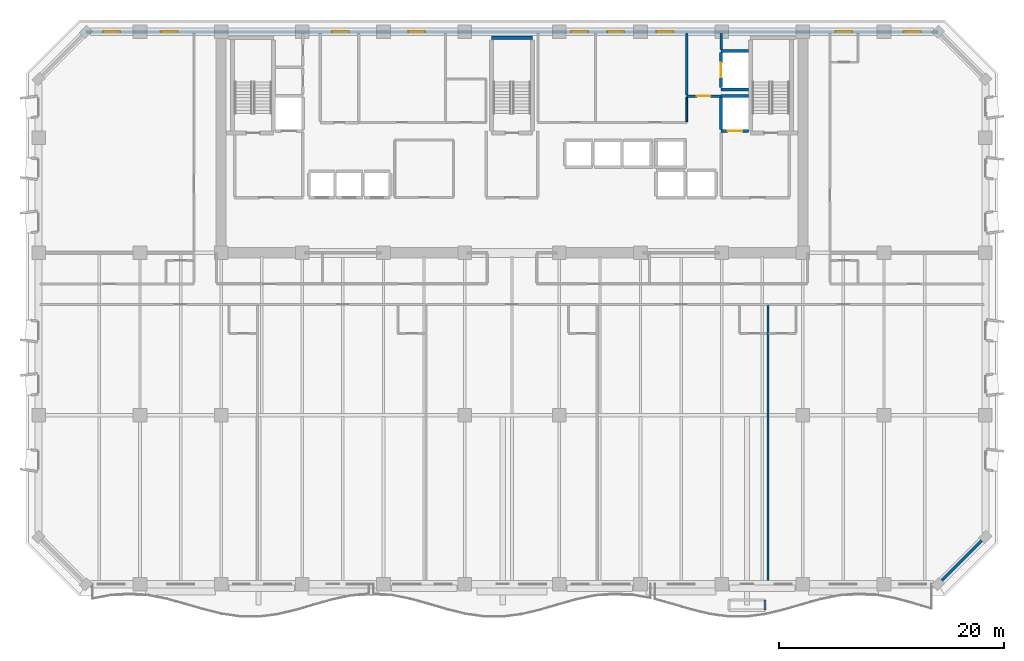
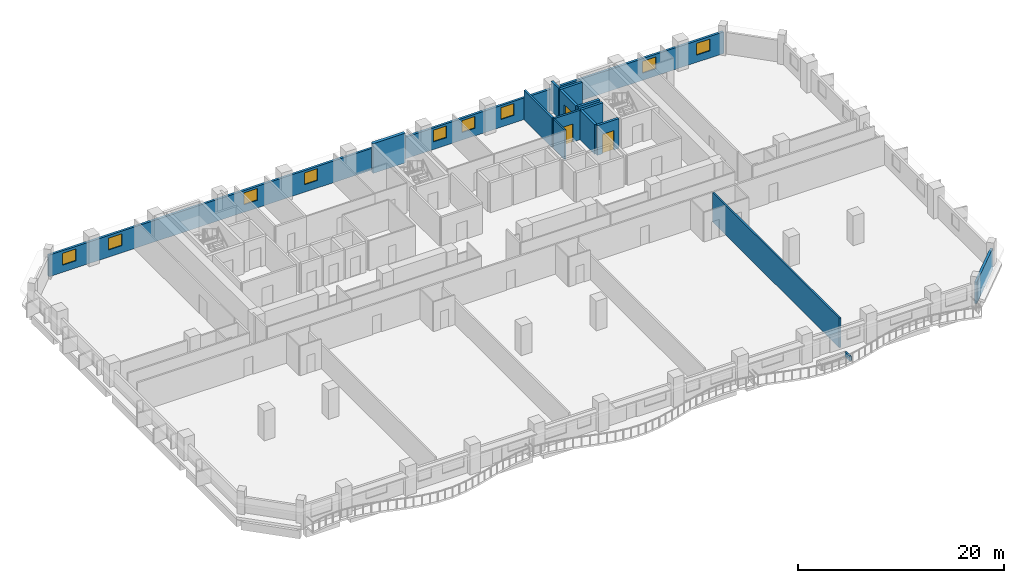
# One storey, part 8 of 14: 15 walls, 9 windows, 3 doors, 12 openings.
"""IFC4 building model written with IfcOpenShell, lengths in metres."""

from ifc_helpers import new_model, si_unit, direction, frame, frame_2d, origin, place, context, subcontext, project, spatial, rectangle, extrude, material, layer, layer_set, type_object, element, fill, save


model = new_model("IFC4")

# Units and contexts
model_context = context("Model", 3, precision=1e-05, world=origin(), true_north=direction((0.0, 1.0)))
body_context = subcontext(model_context, "Body", "Model", "MODEL_VIEW")
ifc_project = project(units=[si_unit("LENGTHUNIT", "METRE"), si_unit("AREAUNIT", "SQUARE_METRE"), si_unit("VOLUMEUNIT", "CUBIC_METRE"), si_unit("PLANEANGLEUNIT", "RADIAN"), si_unit("MASSUNIT", "GRAM", prefix="KILO")], contexts=[model_context])

# Site, building, storey
site_placement = place(None, origin())
site = spatial("IfcSite", under=ifc_project, at=site_placement, CompositionType="ELEMENT")
building_placement = place(site_placement, origin())
building = spatial("IfcBuilding", under=site, at=building_placement, Name="Kaelvorn Grand Hotel", CompositionType="ELEMENT")
storey_placement = place(building_placement, frame((0.0, 0.0, 119.300048828125)))
storey = spatial("IfcBuildingStorey", under=building, at=storey_placement, Name="L28", CompositionType="ELEMENT", Elevation=119.300048828125)

# Wall
ifc_material_1 = material(Name="Concrete C40/50", Category="concrete")
ifc_layer_1 = layer(ifc_material_1, 0.260009765625)
ifc_layer_set_1 = layer_set([ifc_layer_1], Name="Concrete C40/50")
wall_type_1 = type_object("IfcWallType", Name="WL-EXT-260-C40", PredefinedType="SOLIDWALL", material=ifc_layer_set_1)
wall_1_placement = place(storey_placement, frame((79.800048828125, 0.0, 0.0), z_axis=(0.0, 0.0, 1.0), x_axis=(0.707106781187, 0.707106781187, 0.0)))
element("IfcWall", 1, at=wall_1_placement, inside=storey, type_object=wall_type_1, Name="L28 Exterior Architectural Concrete Wall 02", PredefinedType="SOLIDWALL", context=body_context, shape_type="SweptSolid", body=[
    extrude(rectangle(XDim=5.939697265625, YDim=0.260009765625, at=frame_2d((2.9697265625, 0.0))), origin(), (0.0, 0.0, 1.0), 2.56005859375),
])

# Wall, openings, windows
wall_2_placement = place(storey_placement, frame((79.800048828125, 49.0, 0.0), z_axis=(0.0, 0.0, 1.0), x_axis=(-1.0, 0.0, 0.0)))
wall_2 = element("IfcWall", 2, at=wall_2_placement, inside=storey, type_object=wall_type_1, Name="L28 Exterior Architectural Concrete Wall 05", PredefinedType="SOLIDWALL", context=body_context, shape_type="SweptSolid", body=[
    extrude(rectangle(XDim=75.60009765625, YDim=0.260009765625, at=frame_2d((37.800048828125, 0.0))), origin(), (0.0, 0.0, 1.0), 2.56005859375),
])
opening_1_placement = place(wall_2_placement, frame((72.56494140625, 0.0, 0.85009765625)))
opening_1 = element("IfcOpeningElement", 3, at=opening_1_placement, cuts=wall_2, Name="Opening W10", PredefinedType="OPENING", context=body_context, shape_type="SweptSolid", body=[
    extrude(rectangle(XDim=1.5, YDim=1.39990234375, at=frame_2d((0.75, 0.699951171875))), frame((0.0, 0.14013671875, 0.0), z_axis=(0.0, -1.0, 0.0), x_axis=(1.0, 0.0, 0.0)), (0.0, 0.0, 1.0), 0.280029296875),
])
opening_2_placement = place(wall_2_placement, frame((67.449951171875, 0.0, 0.85009765625)))
opening_2 = element("IfcOpeningElement", 4, at=opening_2_placement, cuts=wall_2, Name="Opening W10", PredefinedType="OPENING", context=body_context, shape_type="SweptSolid", body=[
    extrude(rectangle(XDim=1.5, YDim=1.39990234375, at=frame_2d((0.75, 0.699951171875))), frame((0.0, 0.14013671875, 0.0), z_axis=(0.0, -1.0, 0.0), x_axis=(1.0, 0.0, 0.0)), (0.0, 0.0, 1.0), 0.280029296875),
])
opening_3_placement = place(wall_2_placement, frame((7.60009765625, 0.0, 0.85009765625)))
opening_3 = element("IfcOpeningElement", 5, at=opening_3_placement, cuts=wall_2, Name="Opening W10", PredefinedType="OPENING", context=body_context, shape_type="SweptSolid", body=[
    extrude(rectangle(XDim=1.5, YDim=1.39990234375, at=frame_2d((0.75, 0.699951171875))), frame((0.0, 0.14013671875, 0.0), z_axis=(0.0, -1.0, 0.0), x_axis=(1.0, 0.0, 0.0)), (0.0, 0.0, 1.0), 0.280029296875),
])
opening_4_placement = place(wall_2_placement, frame((1.534912109375, 0.0, 0.85009765625)))
opening_4 = element("IfcOpeningElement", 6, at=opening_4_placement, cuts=wall_2, Name="Opening W10", PredefinedType="OPENING", context=body_context, shape_type="SweptSolid", body=[
    extrude(rectangle(XDim=1.5, YDim=1.39990234375, at=frame_2d((0.75, 0.699951171875))), frame((0.0, 0.14013671875, 0.0), z_axis=(0.0, -1.0, 0.0), x_axis=(1.0, 0.0, 0.0)), (0.0, 0.0, 1.0), 0.280029296875),
])
opening_5_placement = place(wall_2_placement, frame((52.264892578125, 0.0, 0.89990234375)))
opening_5 = element("IfcOpeningElement", 7, at=opening_5_placement, cuts=wall_2, Name="Opening W10", PredefinedType="OPENING", context=body_context, shape_type="SweptSolid", body=[
    extrude(rectangle(XDim=1.5, YDim=1.39990234375, at=frame_2d((0.75, 0.699951171875))), frame((0.0, 0.14013671875, 0.0), z_axis=(0.0, -1.0, 0.0), x_axis=(1.0, 0.0, 0.0)), (0.0, 0.0, 1.0), 0.280029296875),
])
opening_6_placement = place(wall_2_placement, frame((45.5, 0.0, 0.89990234375)))
opening_6 = element("IfcOpeningElement", 8, at=opening_6_placement, cuts=wall_2, Name="Opening W10", PredefinedType="OPENING", context=body_context, shape_type="SweptSolid", body=[
    extrude(rectangle(XDim=1.5, YDim=1.39990234375, at=frame_2d((0.75, 0.699951171875))), frame((0.0, 0.14013671875, 0.0), z_axis=(0.0, -1.0, 0.0), x_axis=(1.0, 0.0, 0.0)), (0.0, 0.0, 1.0), 0.280029296875),
])
opening_7_placement = place(wall_2_placement, frame((31.050048828125, 0.0, 0.89990234375)))
opening_7 = element("IfcOpeningElement", 9, at=opening_7_placement, cuts=wall_2, Name="Opening W10", PredefinedType="OPENING", context=body_context, shape_type="SweptSolid", body=[
    extrude(rectangle(XDim=1.5, YDim=1.39990234375, at=frame_2d((0.75, 0.699951171875))), frame((0.0, 0.14013671875, 0.0), z_axis=(0.0, -1.0, 0.0), x_axis=(1.0, 0.0, 0.0)), (0.0, 0.0, 1.0), 0.280029296875),
])
opening_8_placement = place(wall_2_placement, frame((27.85009765625, 0.0, 0.89990234375)))
opening_8 = element("IfcOpeningElement", 10, at=opening_8_placement, cuts=wall_2, Name="Opening W10", PredefinedType="OPENING", context=body_context, shape_type="SweptSolid", body=[
    extrude(rectangle(XDim=1.5, YDim=1.39990234375, at=frame_2d((0.75, 0.699951171875))), frame((0.0, 0.14013671875, 0.0), z_axis=(0.0, -1.0, 0.0), x_axis=(1.0, 0.0, 0.0)), (0.0, 0.0, 1.0), 0.280029296875),
])
opening_9_placement = place(wall_2_placement, frame((23.485107421875, 0.0, 0.89990234375)))
opening_9 = element("IfcOpeningElement", 11, at=opening_9_placement, cuts=wall_2, Name="Opening W10", PredefinedType="OPENING", context=body_context, shape_type="SweptSolid", body=[
    extrude(rectangle(XDim=1.5, YDim=1.39990234375, at=frame_2d((0.75, 0.699951171875))), frame((0.0, 0.14013671875, 0.0), z_axis=(0.0, -1.0, 0.0), x_axis=(1.0, 0.0, 0.0)), (0.0, 0.0, 1.0), 0.280029296875),
])
ifc_material_2 = material(Name="Laminated Low-E Glass", Category="glass")
window_type = type_object("IfcWindowType", Name="WIN-COR-1500x1400", PartitioningType="SINGLE_PANEL", PredefinedType="WINDOW", material=ifc_material_2)
window_1_placement = place(opening_1_placement, origin())
window_1 = element("IfcWindow", 12, at=window_1_placement, inside=storey, type_object=window_type, Name="L28 North Wing Ribbon Window NW01", OverallHeight=1.39990234375, OverallWidth=1.5, PartitioningType="SINGLE_PANEL", PredefinedType="WINDOW", context=body_context, shape_type="SweptSolid", body=[
    extrude(rectangle(XDim=1.5, YDim=1.39990234375, at=frame_2d((0.75, 0.699951171875))), frame((0.0, 0.030029296875, 0.0), z_axis=(0.0, -1.0, 0.0), x_axis=(1.0, 0.0, 0.0)), (0.0, 0.0, 1.0), 0.06005859375),
])
fill(opening_1, window_1)
window_2_placement = place(opening_2_placement, origin())
window_2 = element("IfcWindow", 13, at=window_2_placement, inside=storey, type_object=window_type, Name="L28 North Wing Ribbon Window NW02", OverallHeight=1.39990234375, OverallWidth=1.5, PartitioningType="SINGLE_PANEL", PredefinedType="WINDOW", context=body_context, shape_type="SweptSolid", body=[
    extrude(rectangle(XDim=1.5, YDim=1.39990234375, at=frame_2d((0.75, 0.699951171875))), frame((0.0, 0.030029296875, 0.0), z_axis=(0.0, -1.0, 0.0), x_axis=(1.0, 0.0, 0.0)), (0.0, 0.0, 1.0), 0.06005859375),
])
fill(opening_2, window_2)
window_3_placement = place(opening_3_placement, origin())
window_3 = element("IfcWindow", 14, at=window_3_placement, inside=storey, type_object=window_type, Name="L28 North Wing Ribbon Window NW03", OverallHeight=1.39990234375, OverallWidth=1.5, PartitioningType="SINGLE_PANEL", PredefinedType="WINDOW", context=body_context, shape_type="SweptSolid", body=[
    extrude(rectangle(XDim=1.5, YDim=1.39990234375, at=frame_2d((0.75, 0.699951171875))), frame((0.0, 0.030029296875, 0.0), z_axis=(0.0, -1.0, 0.0), x_axis=(1.0, 0.0, 0.0)), (0.0, 0.0, 1.0), 0.06005859375),
])
fill(opening_3, window_3)
window_4_placement = place(opening_4_placement, origin())
window_4 = element("IfcWindow", 15, at=window_4_placement, inside=storey, type_object=window_type, Name="L28 North Wing Ribbon Window NW04", OverallHeight=1.39990234375, OverallWidth=1.5, PartitioningType="SINGLE_PANEL", PredefinedType="WINDOW", context=body_context, shape_type="SweptSolid", body=[
    extrude(rectangle(XDim=1.5, YDim=1.39990234375, at=frame_2d((0.75, 0.699951171875))), frame((0.0, 0.030029296875, 0.0), z_axis=(0.0, -1.0, 0.0), x_axis=(1.0, 0.0, 0.0)), (0.0, 0.0, 1.0), 0.06005859375),
])
fill(opening_4, window_4)
window_5_placement = place(opening_5_placement, origin())
window_5 = element("IfcWindow", 16, at=window_5_placement, inside=storey, type_object=window_type, Name="L28 North Core Clerestory Ribbon Window NC05", OverallHeight=1.39990234375, OverallWidth=1.5, PartitioningType="SINGLE_PANEL", PredefinedType="WINDOW", context=body_context, shape_type="SweptSolid", body=[
    extrude(rectangle(XDim=1.5, YDim=1.39990234375, at=frame_2d((0.75, 0.699951171875))), frame((0.0, 0.030029296875, 0.0), z_axis=(0.0, -1.0, 0.0), x_axis=(1.0, 0.0, 0.0)), (0.0, 0.0, 1.0), 0.06005859375),
])
fill(opening_5, window_5)
window_6_placement = place(opening_6_placement, origin())
window_6 = element("IfcWindow", 17, at=window_6_placement, inside=storey, type_object=window_type, Name="L28 North Core Clerestory Ribbon Window NC06", OverallHeight=1.39990234375, OverallWidth=1.5, PartitioningType="SINGLE_PANEL", PredefinedType="WINDOW", context=body_context, shape_type="SweptSolid", body=[
    extrude(rectangle(XDim=1.5, YDim=1.39990234375, at=frame_2d((0.75, 0.699951171875))), frame((0.0, 0.030029296875, 0.0), z_axis=(0.0, -1.0, 0.0), x_axis=(1.0, 0.0, 0.0)), (0.0, 0.0, 1.0), 0.06005859375),
])
fill(opening_6, window_6)
window_7_placement = place(opening_7_placement, origin())
window_7 = element("IfcWindow", 18, at=window_7_placement, inside=storey, type_object=window_type, Name="L28 North Core Clerestory Ribbon Window NC07", OverallHeight=1.39990234375, OverallWidth=1.5, PartitioningType="SINGLE_PANEL", PredefinedType="WINDOW", context=body_context, shape_type="SweptSolid", body=[
    extrude(rectangle(XDim=1.5, YDim=1.39990234375, at=frame_2d((0.75, 0.699951171875))), frame((0.0, 0.030029296875, 0.0), z_axis=(0.0, -1.0, 0.0), x_axis=(1.0, 0.0, 0.0)), (0.0, 0.0, 1.0), 0.06005859375),
])
fill(opening_7, window_7)
window_8_placement = place(opening_8_placement, origin())
window_8 = element("IfcWindow", 19, at=window_8_placement, inside=storey, type_object=window_type, Name="L28 North Core Clerestory Ribbon Window NC08", OverallHeight=1.39990234375, OverallWidth=1.5, PartitioningType="SINGLE_PANEL", PredefinedType="WINDOW", context=body_context, shape_type="SweptSolid", body=[
    extrude(rectangle(XDim=1.5, YDim=1.39990234375, at=frame_2d((0.75, 0.699951171875))), frame((0.0, 0.030029296875, 0.0), z_axis=(0.0, -1.0, 0.0), x_axis=(1.0, 0.0, 0.0)), (0.0, 0.0, 1.0), 0.06005859375),
])
fill(opening_8, window_8)
window_9_placement = place(opening_9_placement, origin())
window_9 = element("IfcWindow", 20, at=window_9_placement, inside=storey, type_object=window_type, Name="L28 North Core Clerestory Ribbon Window NC09", OverallHeight=1.39990234375, OverallWidth=1.5, PartitioningType="SINGLE_PANEL", PredefinedType="WINDOW", context=body_context, shape_type="SweptSolid", body=[
    extrude(rectangle(XDim=1.5, YDim=1.39990234375, at=frame_2d((0.75, 0.699951171875))), frame((0.0, 0.030029296875, 0.0), z_axis=(0.0, -1.0, 0.0), x_axis=(1.0, 0.0, 0.0)), (0.0, 0.0, 1.0), 0.06005859375),
])
fill(opening_9, window_9)

# Walls
ifc_material_3 = material(Name="Acoustic Gypsum & Stud Partition")
ifc_layer_2 = layer(ifc_material_3, 0.14990234375)
ifc_layer_set_2 = layer_set([ifc_layer_2], Name="Acoustic Gypsum & Stud Partition")
wall_type_2 = type_object("IfcWallType", Name="WL-PART-150-EI60", PredefinedType="PARTITIONING", material=ifc_layer_set_2)
wall_3_placement = place(storey_placement, frame((57.5, 41.030029296875, 0.0), z_axis=(0.0, 0.0, 1.0), x_axis=(0.0, 1.0, 0.0)))
element("IfcWall", 21, at=wall_3_placement, inside=storey, type_object=wall_type_2, Name="L28 Butler Servery Pantry E Partition", PredefinedType="PARTITIONING", context=body_context, shape_type="SweptSolid", body=[
    extrude(rectangle(XDim=2.155029296875, YDim=0.14990234375, at=frame_2d((1.07763671875, 0.0))), origin(), (0.0, 0.0, 1.0), 3.510009765625),
])
ifc_layer_3 = layer(ifc_material_3, 0.179931640625)
ifc_layer_set_3 = layer_set([ifc_layer_3], Name="Acoustic Gypsum & Stud Partition")
wall_type_3 = type_object("IfcWallType", Name="WL-PART-180-EI60", PredefinedType="PARTITIONING", material=ifc_layer_set_3)
wall_4_placement = place(storey_placement, frame((64.690673828125, 0.14990234375, 0.0), z_axis=(0.0, 0.0, 1.0), x_axis=(0.0, 1.0, 0.0)))
element("IfcWall", 22, at=wall_4_placement, inside=storey, type_object=wall_type_3, Name="L28 Presidential Sky Suite L28-04 E Partition", PredefinedType="PARTITIONING", context=body_context, shape_type="SweptSolid", body=[
    extrude(rectangle(XDim=24.55517578125, YDim=0.179931640625, at=frame_2d((12.277587890625, 0.0))), origin(), (0.0, 0.0, 1.0), 3.510009765625),
])

# Wall, opening, door
ifc_layer_4 = layer(ifc_material_1, 0.219970703125)
ifc_layer_set_4 = layer_set([ifc_layer_4], Name="Concrete C40/50")
wall_type_4 = type_object("IfcWallType", Name="WL-PART-220-EI120", PredefinedType="PARTITIONING", material=ifc_layer_set_4)
wall_5_placement = place(storey_placement, frame((57.5, 43.300048828125, 0.0), z_axis=(0.0, 0.0, 1.0), x_axis=(1.0, 0.0, 0.0)))
wall_5 = element("IfcWall", 23, at=wall_5_placement, inside=storey, type_object=wall_type_4, Name="L28 Service Lift Lobby S Partition", PredefinedType="PARTITIONING", context=body_context, shape_type="SweptSolid", body=[
    extrude(rectangle(XDim=3.0400390625, YDim=0.219970703125, at=frame_2d((1.52001953125, 0.0))), origin(), (0.0, 0.0, 1.0), 3.510009765625),
])
opening_10_placement = place(wall_5_placement, frame((0.89990234375, 0.0, 0.0)))
opening_10 = element("IfcOpeningElement", 24, at=opening_10_placement, cuts=wall_5, Name="Opening DI2", PredefinedType="OPENING", context=body_context, shape_type="SweptSolid", body=[
    extrude(rectangle(XDim=1.199951171875, YDim=2.14990234375, at=frame_2d((0.60009765625, 1.074951171875))), frame((0.0, 0.1201171875, 0.0), z_axis=(0.0, -1.0, 0.0), x_axis=(1.0, 0.0, 0.0)), (0.0, 0.0, 1.0), 0.239990234375),
])
ifc_material_4 = material(Name="Timber Veneer Fire Leaf", Category="wood")
door_type_1 = type_object("IfcDoorType", Name="DR-INT-FFLOB-1200x2150", OperationType="NOTDEFINED", PredefinedType="DOOR", material=ifc_material_4)
door_1_placement = place(opening_10_placement, origin())
door_1 = element("IfcDoor", 25, at=door_1_placement, inside=storey, type_object=door_type_1, Name="L28 Service Lift Lobby Door", OperationType="SINGLE_SWING_RIGHT", OverallHeight=2.14990234375, OverallWidth=1.199951171875, PredefinedType="DOOR", context=body_context, shape_type="SweptSolid", body=[
    extrude(rectangle(XDim=1.199951171875, YDim=2.14990234375, at=frame_2d((0.60009765625, 1.074951171875))), frame((0.0, 0.02490234375, 0.0), z_axis=(0.0, -1.0, 0.0), x_axis=(1.0, 0.0, 0.0)), (0.0, 0.0, 1.0), 0.050048828125),
])
fill(opening_10, door_1)

# Walls
wall_6_placement = place(storey_placement, frame((57.5, 43.4150390625, 0.0), z_axis=(0.0, 0.0, 1.0), x_axis=(0.0, 1.0, 0.0)))
element("IfcWall", 26, at=wall_6_placement, inside=storey, type_object=wall_type_4, Name="L28 Service Lift Lobby W Partition", PredefinedType="PARTITIONING", context=body_context, shape_type="SweptSolid", body=[
    extrude(rectangle(XDim=5.43505859375, YDim=0.219970703125, at=frame_2d((2.717529296875, 0.0))), origin(), (0.0, 0.0, 1.0), 3.510009765625),
])
wall_7_placement = place(storey_placement, frame((60.550048828125, 47.445068359375, 0.0), z_axis=(0.0, 0.0, 1.0), x_axis=(0.0, 1.0, 0.0)))
element("IfcWall", 27, at=wall_7_placement, inside=storey, type_object=wall_type_4, Name="L28 Service Lift Lobby E Partition", PredefinedType="PARTITIONING", context=body_context, shape_type="SweptSolid", body=[
    extrude(rectangle(XDim=1.405029296875, YDim=0.219970703125, at=frame_2d((0.70263671875, 0.0))), origin(), (0.0, 0.0, 1.0), 3.510009765625),
])

# Wall, opening, door
ifc_material_5 = material(Name="Concrete C50/60", Category="concrete")
ifc_layer_5 = layer(ifc_material_5, 0.280029296875)
ifc_layer_set_5 = layer_set([ifc_layer_5], Name="Concrete C50/60")
wall_type_5 = type_object("IfcWallType", Name="WL-SHAFT-280-C50", PredefinedType="SHEAR", material=ifc_layer_set_5)
wall_8_placement = place(storey_placement, frame((60.550048828125, 40.199951171875, 0.0), z_axis=(0.0, 0.0, 1.0), x_axis=(1.0, 0.0, 0.0)))
wall_8 = element("IfcWall", 28, at=wall_8_placement, inside=storey, type_object=wall_type_5, Name="L28 Lift FFL2 Shaft South Wall", PredefinedType="SHEAR", context=body_context, shape_type="SweptSolid", body=[
    extrude(rectangle(XDim=2.4150390625, YDim=0.280029296875, at=frame_2d((1.20751953125, 0.0))), origin(), (0.0, 0.0, 1.0), 3.510009765625),
])
opening_11_placement = place(wall_8_placement, frame((0.574951171875, 0.0, 0.0)))
opening_11 = element("IfcOpeningElement", 29, at=opening_11_placement, cuts=wall_8, Name="Opening LD-FFL2", PredefinedType="OPENING", context=body_context, shape_type="SweptSolid", body=[
    extrude(rectangle(XDim=1.300048828125, YDim=2.300048828125, at=frame_2d((0.64990234375, 1.14990234375))), frame((0.0, 0.14990234375, 0.0), z_axis=(0.0, -1.0, 0.0), x_axis=(1.0, 0.0, 0.0)), (0.0, 0.0, 1.0), 0.300048828125),
])
ifc_material_6 = material(Name="Stainless Steel", Category="steel")
door_type_2 = type_object("IfcDoorType", Name="DR-LIFT-SERV-1300x2300", OperationType="DOUBLE_DOOR_SLIDING", PredefinedType="DOOR", material=ifc_material_6)
door_2_placement = place(opening_11_placement, origin())
door_2 = element("IfcDoor", 30, at=door_2_placement, inside=storey, type_object=door_type_2, Name="L28 Lift FFL2 Sliding Landing Door LD-FFL2", OperationType="DOUBLE_DOOR_SLIDING", OverallHeight=2.300048828125, OverallWidth=1.300048828125, PredefinedType="DOOR", context=body_context, shape_type="SweptSolid", body=[
    extrude(rectangle(XDim=1.300048828125, YDim=2.300048828125, at=frame_2d((0.64990234375, 1.14990234375))), frame((0.0, 0.02490234375, 0.0), z_axis=(0.0, -1.0, 0.0), x_axis=(1.0, 0.0, 0.0)), (0.0, 0.0, 1.0), 0.050048828125),
])
fill(opening_11, door_2)

# Walls
wall_9_placement = place(storey_placement, frame((60.550048828125, 43.300048828125, 0.0), z_axis=(0.0, 0.0, 1.0), x_axis=(1.0, 0.0, 0.0)))
element("IfcWall", 31, at=wall_9_placement, inside=storey, type_object=wall_type_5, Name="L28 Lift FFL2 Shaft North Wall", PredefinedType="SHEAR", context=body_context, shape_type="SweptSolid", body=[
    extrude(rectangle(XDim=2.4150390625, YDim=0.280029296875, at=frame_2d((1.20751953125, 0.0))), origin(), (0.0, 0.0, 1.0), 3.510009765625),
])
wall_10_placement = place(storey_placement, frame((60.550048828125, 40.344970703125, 0.0), z_axis=(0.0, 0.0, 1.0), x_axis=(0.0, 1.0, 0.0)))
element("IfcWall", 32, at=wall_10_placement, inside=storey, type_object=wall_type_5, Name="L28 Lift FFL2 Shaft West Wall", PredefinedType="SHEAR", context=body_context, shape_type="SweptSolid", body=[
    extrude(rectangle(XDim=2.81005859375, YDim=0.280029296875, at=frame_2d((1.405029296875, 0.0))), origin(), (0.0, 0.0, 1.0), 3.510009765625),
])
for number, where, z_axis, x_axis, name in (
    (33, (60.550048828125, 43.89990234375, 0.0), (0.0, 0.0, 1.0), (1.0, 0.0, 0.0), "L28 Lift SV1 Shaft South Wall"),
    (34, (60.550048828125, 47.300048828125, 0.0), (0.0, 0.0, 1.0), (1.0, 0.0, 0.0), "L28 Lift SV1 Shaft North Wall"),
):
    element("IfcWall", number, at=place(storey_placement, frame(where, z_axis=z_axis, x_axis=x_axis)), inside=storey, type_object=wall_type_5, Name=name, PredefinedType="SHEAR", context=body_context, shape_type="SweptSolid", body=[
        extrude(rectangle(XDim=2.4150390625, YDim=0.280029296875, at=frame_2d((1.20751953125, 0.0))), origin(), (0.0, 0.0, 1.0), 3.510009765625),
    ])

# Wall, opening, door
wall_11_placement = place(storey_placement, frame((60.550048828125, 44.044921875, 0.0), z_axis=(0.0, 0.0, 1.0), x_axis=(0.0, 1.0, 0.0)))
wall_11 = element("IfcWall", 35, at=wall_11_placement, inside=storey, type_object=wall_type_5, Name="L28 Lift SV1 Shaft West Wall", PredefinedType="SHEAR", context=body_context, shape_type="SweptSolid", body=[
    extrude(rectangle(XDim=3.110107421875, YDim=0.280029296875, at=frame_2d((1.55517578125, 0.0))), origin(), (0.0, 0.0, 1.0), 3.510009765625),
])
opening_12_placement = place(wall_11_placement, frame((0.905029296875, 0.0, 0.0)))
opening_12 = element("IfcOpeningElement", 36, at=opening_12_placement, cuts=wall_11, Name="Opening LD-SV1", PredefinedType="OPENING", context=body_context, shape_type="SweptSolid", body=[
    extrude(rectangle(XDim=1.300048828125, YDim=2.300048828125, at=frame_2d((0.64990234375, 1.14990234375))), frame((0.0, 0.14990234375, 0.0), z_axis=(0.0, -1.0, 0.0), x_axis=(1.0, 0.0, 0.0)), (0.0, 0.0, 1.0), 0.300048828125),
])
door_3_placement = place(opening_12_placement, origin())
door_3 = element("IfcDoor", 37, at=door_3_placement, inside=storey, type_object=door_type_2, Name="L28 Lift SV1 Sliding Landing Door LD-SV1", OperationType="DOUBLE_DOOR_SLIDING", OverallHeight=2.300048828125, OverallWidth=1.300048828125, PredefinedType="DOOR", context=body_context, shape_type="SweptSolid", body=[
    extrude(rectangle(XDim=1.300048828125, YDim=2.300048828125, at=frame_2d((0.64990234375, 1.14990234375))), frame((0.0, 0.02490234375, 0.0), z_axis=(0.0, -1.0, 0.0), x_axis=(1.0, 0.0, 0.0)), (0.0, 0.0, 1.0), 0.050048828125),
])
fill(opening_12, door_3)

# Walls
ifc_material_7 = material(Name="Concrete C60/75", Category="concrete")
ifc_layer_6 = layer(ifc_material_7, 0.35009765625)
ifc_layer_set_6 = layer_set([ifc_layer_6], Name="Concrete C60/75")
wall_type_6 = type_object("IfcWallType", Name="WL-SHAFT-350-C60", PredefinedType="SHEAR", material=ifc_layer_set_6)
wall_12_placement = place(storey_placement, frame((40.18505859375, 48.47509765625, 0.0), z_axis=(0.0, 0.0, 1.0), x_axis=(1.0, 0.0, 0.0)))
element("IfcWall", 38, at=wall_12_placement, inside=storey, type_object=wall_type_6, Name="L28 ST2 Stair Shaft North Wall", PredefinedType="SHEAR", context=body_context, shape_type="SweptSolid", body=[
    extrude(rectangle(XDim=3.6298828125, YDim=0.35009765625, at=frame_2d((1.81494140625, 0.0))), origin(), (0.0, 0.0, 1.0), 3.510009765625),
])
ifc_layer_7 = layer(ifc_material_1, 0.199951171875)
ifc_layer_set_7 = layer_set([ifc_layer_7], Name="Concrete C40/50")
wall_type_7 = type_object("IfcWallType", Name="WL-TREE-PLANTER-200", PredefinedType="PARAPET", material=ifc_layer_set_7)
wall_13_placement = place(storey_placement, frame((64.4443359375, -2.300048828125, 0.0), z_axis=(0.0, 0.0, 1.0), x_axis=(0.0, 1.0, 0.0)))
element("IfcWall", 39, at=wall_13_placement, inside=storey, type_object=wall_type_7, Name="L28 Planted Balcony Structural TREE PLANTER Kerb 1-E", PredefinedType="PARAPET", context=body_context, shape_type="SweptSolid", body=[
    extrude(rectangle(XDim=0.900146484375, YDim=0.199951171875, at=frame_2d((0.4501953125, 0.0))), origin(), (0.0, 0.0, 1.0), 0.550048828125),
])

save(model, "model.ifc")
